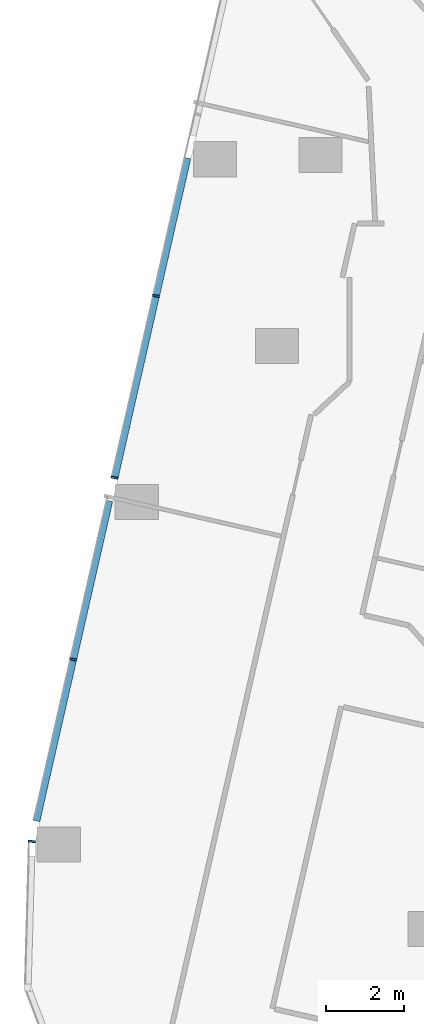
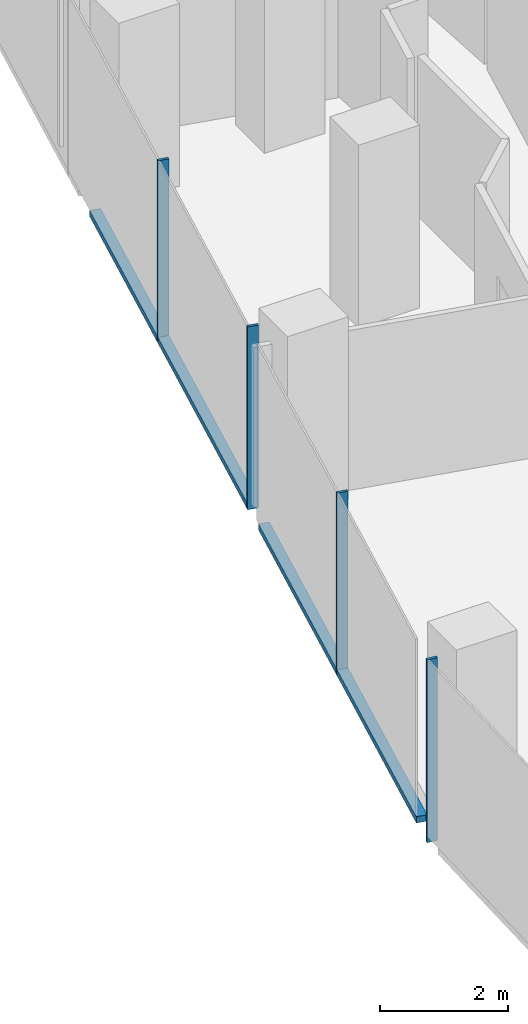
# One storey, part 4 of 24: 6 members, 1 element without a shape of its own.
"""IFC4 building model written with IfcOpenShell, lengths in metres."""

from ifc_helpers import new_model, si_unit, direction, frame, origin, origin_2d, place, context, subcontext, project, spatial, rectangle, extrude, material, material_profile, profile_set, type_object, element, aggregate, save


model = new_model("IFC4")

# Units and contexts
model_context = context("Model", 3, precision=1e-05, world=origin(), true_north=direction((0.0, 1.0)))
body_context = subcontext(model_context, "Body", "Model", "MODEL_VIEW")
ifc_project = project(units=[si_unit("LENGTHUNIT", "METRE"), si_unit("AREAUNIT", "SQUARE_METRE"), si_unit("VOLUMEUNIT", "CUBIC_METRE"), si_unit("PLANEANGLEUNIT", "RADIAN"), si_unit("MASSUNIT", "GRAM", prefix="KILO")], contexts=[model_context])

# Site, building, storey
site_placement = place(None, origin())
site = spatial("IfcSite", under=ifc_project, at=site_placement, CompositionType="ELEMENT")
building_placement = place(site_placement, origin())
building = spatial("IfcBuilding", under=site, at=building_placement, Name="Orlundy Tower", CompositionType="ELEMENT")
storey_placement = place(building_placement, frame((0.0, 0.0, 174.10009765625)))
storey = spatial("IfcBuildingStorey", under=building, at=storey_placement, Name="L45", CompositionType="ELEMENT", Elevation=174.10009765625)

# Curtain wall, members
ifc_material_1 = material(Name="Aluminium bronze anodised", Category="aluminium")
curtain_wall_type = type_object("IfcCurtainWallType", Name="CW1 wall", PredefinedType="NOTDEFINED", material=ifc_material_1)
curtain_wall_placement = place(storey_placement, origin())
curtain_wall = element("IfcCurtainWall", 1, at=curtain_wall_placement, inside=storey, type_object=curtain_wall_type, Name="CW1 run 00", PredefinedType="NOTDEFINED")
ifc_material_2 = material(Name="Aluminium bronze anodised", Category="aluminium")
ifc_material_profile_1 = material_profile(ifc_material_2, rectangle(XDim=0.179931640625, YDim=0.050048828125, at=origin_2d()), Name="CW1 mullion 50x180")
ifc_profile_set_1 = profile_set([ifc_material_profile_1], Name="Aluminium bronze anodised")
member_type_1 = type_object("IfcMemberType", Name="CW1 mullion 50x180", PredefinedType="MULLION", material=ifc_profile_set_1)
member_1_placement = place(storey_placement, frame((-30.917724609375, -45.272705078125, -0.420166015625), z_axis=(0.0, 0.0, 1.0), x_axis=(-0.992087726333, 0.12554657805, 0.0)))
member_1 = element("IfcMember", 2, at=member_1_placement, type_object=member_type_1, Name="CW1 mullion 1", PredefinedType="MULLION", context=body_context, shape_type="SweptSolid", body=[
    extrude(rectangle(XDim=0.179931640625, YDim=0.050048828125, at=origin_2d()), origin(), (0.0, 0.0, 1.0), 3.5),
])
member_2_placement = place(storey_placement, frame((-29.859619140625, -40.62744140625, -0.420166015625), z_axis=(0.0, 0.0, 1.0), x_axis=(-0.97502463614, 0.222096733251, 0.0)))
member_2 = element("IfcMember", 3, at=member_2_placement, type_object=member_type_1, Name="CW1 mullion 2", PredefinedType="MULLION", context=body_context, shape_type="SweptSolid", body=[
    extrude(rectangle(XDim=0.179931640625, YDim=0.050048828125, at=origin_2d()), origin(), (0.0, 0.0, 1.0), 3.5),
])
member_3_placement = place(storey_placement, frame((-28.803466796875, -35.99072265625, -0.420166015625), z_axis=(0.0, 0.0, 1.0), x_axis=(-0.97502463614, 0.222096733251, 0.0)))
member_3 = element("IfcMember", 4, at=member_3_placement, type_object=member_type_1, Name="CW1 mullion 3", PredefinedType="MULLION", context=body_context, shape_type="SweptSolid", body=[
    extrude(rectangle(XDim=0.179931640625, YDim=0.050048828125, at=origin_2d()), origin(), (0.0, 0.0, 1.0), 3.5),
])
member_4_placement = place(storey_placement, frame((-27.747314453125, -31.35400390625, -0.420166015625), z_axis=(0.0, 0.0, 1.0), x_axis=(-0.97502463614, 0.222096733251, 0.0)))
member_4 = element("IfcMember", 5, at=member_4_placement, type_object=member_type_1, Name="CW1 mullion 4", PredefinedType="MULLION", context=body_context, shape_type="SweptSolid", body=[
    extrude(rectangle(XDim=0.179931640625, YDim=0.050048828125, at=origin_2d()), origin(), (0.0, 0.0, 1.0), 3.5),
])
ifc_material_3 = material(Name="Aluminium bronze anodised", Category="aluminium")
ifc_material_profile_2 = material_profile(ifc_material_3, rectangle(XDim=0.179931640625, YDim=0.1201171875, at=origin_2d()), Name="CW1 transom 180x120")
ifc_profile_set_2 = profile_set([ifc_material_profile_2], Name="Aluminium bronze anodised")
member_type_2 = type_object("IfcMemberType", Name="CW1 transom 180x120", PredefinedType="USERDEFINED", material=ifc_profile_set_2)
member_5_placement = place(storey_placement, frame((-30.799072265625, -44.751953125, -0.360107421875), z_axis=(0.222091789756, 0.975025762184, 0.0), x_axis=(-0.975025762184, 0.222091789756, 0.0)))
member_5 = element("IfcMember", 6, at=member_5_placement, type_object=member_type_2, Name="CW1 transom", ObjectType="TRANSOM", PredefinedType="USERDEFINED", context=body_context, shape_type="SweptSolid", body=[
    extrude(rectangle(XDim=0.179931640625, YDim=0.1201171875, at=origin_2d()), origin(), (0.0, 0.0, 1.0), 8.38427734375),
])
member_6_placement = place(storey_placement, frame((-28.8076171875, -36.009033203125, -0.360107421875), z_axis=(0.222090405323, 0.97502607753, 0.0), x_axis=(-0.97502607753, 0.222090405323, 0.0)))
member_6 = element("IfcMember", 7, at=member_6_placement, type_object=member_type_2, Name="CW1 transom", ObjectType="TRANSOM", PredefinedType="USERDEFINED", context=body_context, shape_type="SweptSolid", body=[
    extrude(rectangle(XDim=0.179931640625, YDim=0.1201171875, at=origin_2d()), origin(), (0.0, 0.0, 1.0), 8.386474609375),
])
aggregate(curtain_wall, [member_1, member_2, member_3, member_4, member_5, member_6])

save(model, "model.ifc")
